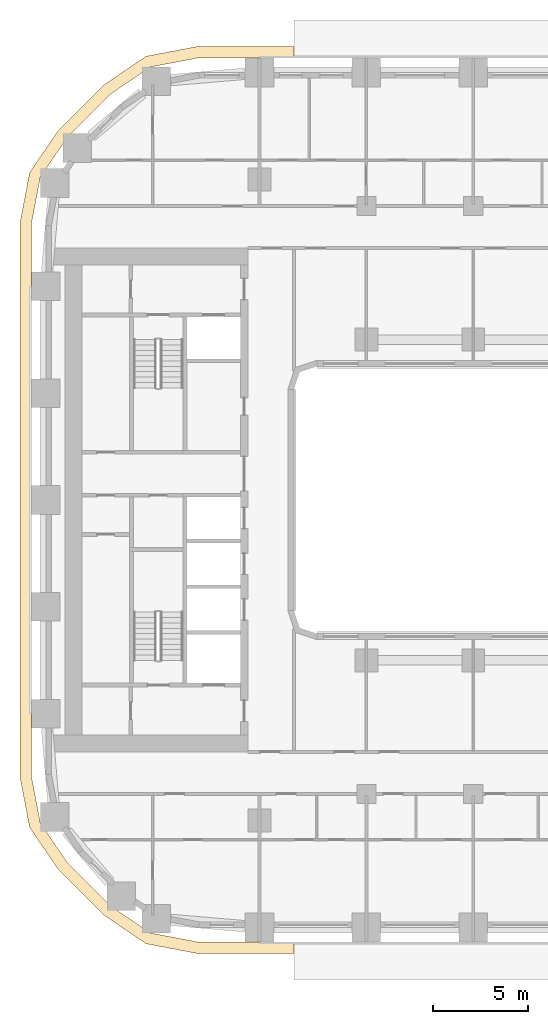
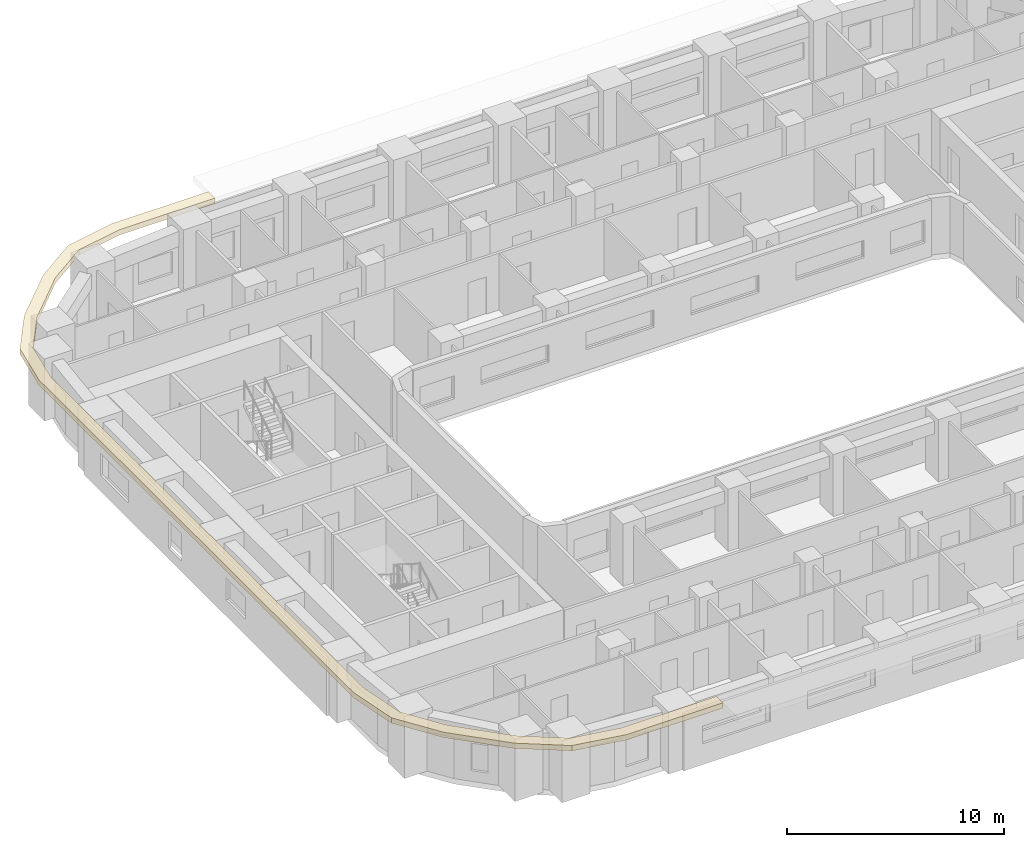
# One storey, part 13 of 21: 1 covering.
"""IFC4 building model written with IfcOpenShell, lengths in metres."""

from ifc_helpers import new_model, si_unit, direction, frame, origin, place, context, subcontext, project, spatial, polyline, outline, extrude, material, layer, layer_set, type_object, element, save


model = new_model("IFC4")

# Units and contexts
model_context = context("Model", 3, precision=1e-05, world=origin(), true_north=direction((0.0, 1.0)))
body_context = subcontext(model_context, "Body", "Model", "MODEL_VIEW")
ifc_project = project(units=[si_unit("LENGTHUNIT", "METRE"), si_unit("AREAUNIT", "SQUARE_METRE"), si_unit("VOLUMEUNIT", "CUBIC_METRE"), si_unit("PLANEANGLEUNIT", "RADIAN"), si_unit("MASSUNIT", "GRAM", prefix="KILO")], contexts=[model_context])

# Site, building, storey
site_placement = place(None, origin())
site = spatial("IfcSite", under=ifc_project, at=site_placement, CompositionType="ELEMENT")
building_placement = place(site_placement, origin())
building = spatial("IfcBuilding", under=site, at=building_placement, Name="Kiln Ring Residences", CompositionType="ELEMENT")
storey_placement = place(building_placement, frame((0.0, 0.0, 34.0)))
storey = spatial("IfcBuildingStorey", under=building, at=storey_placement, Name="L07", CompositionType="ELEMENT", Elevation=34.0)

# Covering
ifc_material = material(Name="Black powder-coated steel", Category="steel")
ifc_layer = layer(ifc_material, 0.300048828125)
ifc_layer_set = layer_set([ifc_layer], Name="SUNSHADE FIN 600")
covering_type = type_object("IfcCoveringType", Name="SUNSHADE FIN 600", PredefinedType="CLADDING", material=ifc_layer_set)
covering_placement = place(storey_placement, frame((0.0, 0.0, 3.199951171875)))
element("IfcCovering", 1, at=covering_placement, inside=storey, type_object=covering_type, Name="SUNSHADE FIN L07", PredefinedType="CLADDING", context=body_context, shape_type="SweptSolid", body=[
    extrude(outline(polyline([(-29.35009765625, -14.527587890625), (-28.849365234375, -17.15185546875), (-27.347900390625, -19.361328125), (-24.96142578125, -21.747802734375), (-22.751953125, -23.24951171875), (-20.127685546875, -23.75), (-15.0, -23.75), (-15.0, -23.14990234375), (-20.07080078125, -23.14990234375), (-22.517333984375, -22.683349609375), (-24.577392578125, -21.283447265625), (-26.88330078125, -18.977294921875), (-28.283447265625, -16.91748046875), (-28.75, -14.470947265625), (-28.75, 14.470947265625), (-28.283447265625, 16.91748046875), (-26.88330078125, 18.977294921875), (-24.577392578125, 21.283447265625), (-22.517333984375, 22.683349609375), (-20.07080078125, 23.14990234375), (-15.0, 23.14990234375), (-15.0, 23.75), (-20.127685546875, 23.75), (-22.751953125, 23.24951171875), (-24.96142578125, 21.747802734375), (-27.347900390625, 19.361328125), (-28.849365234375, 17.15185546875), (-29.35009765625, 14.527587890625), (-29.35009765625, -14.527587890625)])), origin(), (0.0, 0.0, 1.0), 0.300048828125),
])

save(model, "model.ifc")
